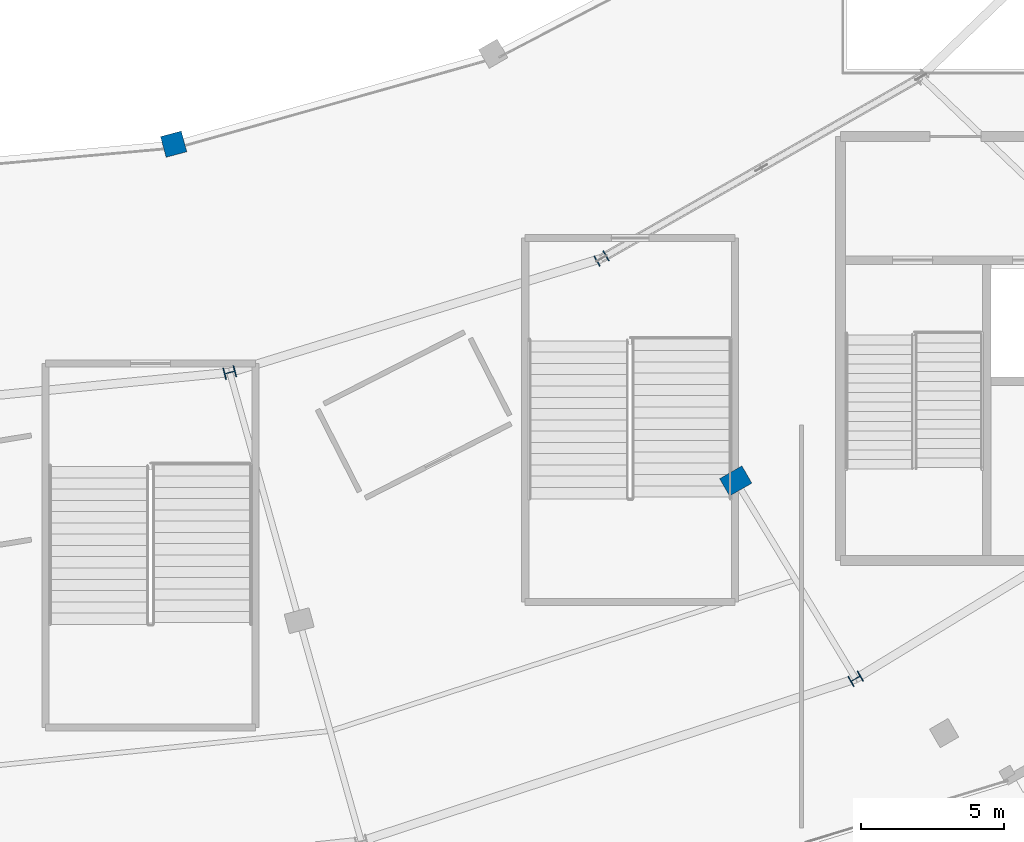
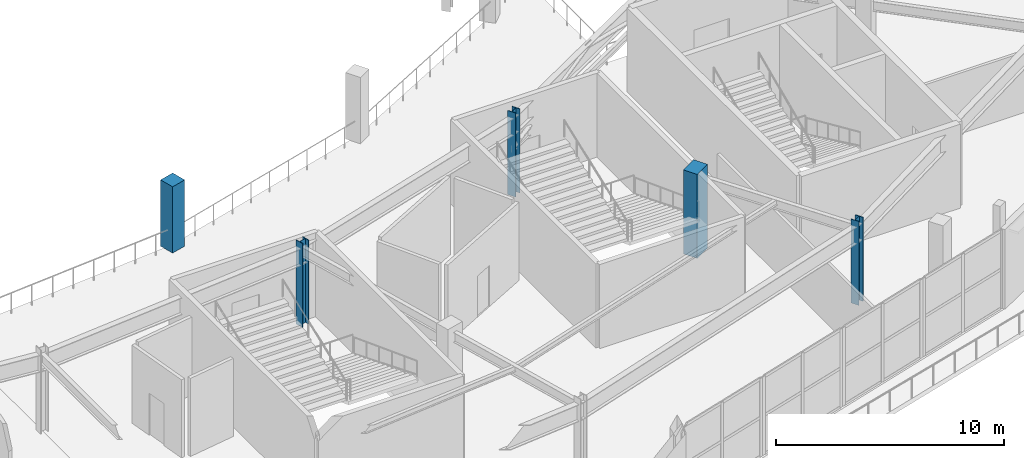
# One storey, part 5 of 123: 5 columns.
"""IFC4 building model written with IfcOpenShell, lengths in metres."""

from ifc_helpers import new_model, si_unit, direction, frame, origin, origin_2d, place, context, subcontext, project, spatial, rectangle, i_section, extrude, material, material_profile, profile_set, type_object, element, save


model = new_model("IFC4")

# Units and contexts
model_context = context("Model", 3, precision=1e-05, world=origin(), true_north=direction((0.0, 1.0)))
body_context = subcontext(model_context, "Body", "Model", "MODEL_VIEW")
ifc_project = project(units=[si_unit("LENGTHUNIT", "METRE"), si_unit("AREAUNIT", "SQUARE_METRE"), si_unit("VOLUMEUNIT", "CUBIC_METRE"), si_unit("PLANEANGLEUNIT", "RADIAN"), si_unit("MASSUNIT", "GRAM", prefix="KILO")], contexts=[model_context])

# Site, building, storey
site_placement = place(None, origin())
site = spatial("IfcSite", under=ifc_project, at=site_placement, CompositionType="ELEMENT")
building_placement = place(site_placement, origin())
building = spatial("IfcBuilding", under=site, at=building_placement, Name="Kalgoora Escarpment Arena", CompositionType="ELEMENT")
storey_placement = place(building_placement, frame((0.0, 0.0, 9.89990234375)))
storey = spatial("IfcBuildingStorey", under=building, at=storey_placement, Name="L02", CompositionType="ELEMENT", Elevation=9.89990234375)

# Columns
ifc_material_1 = material(Name="Structural steel Grade 350 (350 MPa)", Category="steel")
ifc_material_profile_1 = material_profile(ifc_material_1, i_section(OverallWidth=0.39990234375, OverallDepth=0.39990234375, WebThickness=0.01611328125, FlangeThickness=0.028076171875, at=origin_2d()))
ifc_profile_set_1 = profile_set([ifc_material_profile_1], Name="Structural steel Grade 350 (350 MPa)")
column_type_1 = type_object("IfcColumnType", Name="COL-COL-400WC212", PredefinedType="COLUMN", material=ifc_profile_set_1)
column_1_placement = place(storey_placement, frame((128.300048828125, 14.63671875, 0.0), z_axis=(0.0, 0.0, 1.0), x_axis=(0.5, -0.866025403784, 0.0)))
element("IfcColumn", 1, at=column_1_placement, inside=storey, type_object=column_type_1, Name="L02 structural column COL-RCONC2-R21", PredefinedType="COLUMN", context=body_context, shape_type="SweptSolid", body=[
    extrude(i_section(OverallWidth=0.39990234375, OverallDepth=0.39990234375, WebThickness=0.01611328125, FlangeThickness=0.028076171875, at=origin_2d()), origin(), (0.0, 0.0, 1.0), 4.5),
])
ifc_material_2 = material(Name="Structural steel Grade 350 (350 MPa)", Category="steel")
ifc_material_profile_2 = material_profile(ifc_material_2, i_section(OverallWidth=0.39990234375, OverallDepth=0.39990234375, WebThickness=0.01806640625, FlangeThickness=0.031982421875, at=origin_2d()))
ifc_profile_set_2 = profile_set([ifc_material_profile_2], Name="Structural steel Grade 350 (350 MPa)")
column_type_2 = type_object("IfcColumnType", Name="COL-COL-400WC270", PredefinedType="COLUMN", material=ifc_profile_set_2)
for number, where, z_axis, x_axis, name in (
    (2, (106.376220703125, 25.363037109375, 0.0), (0.0, 0.0, 1.0), (0.258819045103, -0.965925826289, 0.0), "L02 structural column COL-RMAIN-R20"),
    (3, (119.39990234375, 29.35888671875, 0.0), (0.0, 0.0, 1.0), (0.5, -0.866025403784, 0.0), "L02 structural column COL-RMAIN-R21"),
):
    element("IfcColumn", number, at=place(storey_placement, frame(where, z_axis=z_axis, x_axis=x_axis)), inside=storey, type_object=column_type_2, Name=name, PredefinedType="COLUMN", context=body_context, shape_type="SweptSolid", body=[
        extrude(i_section(OverallWidth=0.39990234375, OverallDepth=0.39990234375, WebThickness=0.01806640625, FlangeThickness=0.031982421875, at=origin_2d()), origin(), (0.0, 0.0, 1.0), 4.5),
    ])
ifc_material_3 = material(Name="Concrete N50 (fc' 50 MPa)", Category="concrete")
ifc_material_profile_3 = material_profile(ifc_material_3, rectangle(XDim=0.75, YDim=0.75, at=origin_2d()))
ifc_profile_set_3 = profile_set([ifc_material_profile_3], Name="Concrete N50 (fc' 50 MPa)")
column_type_3 = type_object("IfcColumnType", Name="COL-COL-RC750x750", PredefinedType="COLUMN", material=ifc_profile_set_3)
column_2_placement = place(storey_placement, frame((104.411865234375, 33.36083984375, 0.0), z_axis=(0.0, 0.0, 1.0), x_axis=(0.258819045103, -0.965925826289, 0.0)))
element("IfcColumn", 4, at=column_2_placement, inside=storey, type_object=column_type_3, Name="L02 structural column COL-RMID-R20", PredefinedType="COLUMN", context=body_context, shape_type="SweptSolid", body=[
    extrude(rectangle(XDim=0.75, YDim=0.75, at=origin_2d()), origin(), (0.0, 0.0, 1.0), 3.553466796875),
])
ifc_material_4 = material(Name="Concrete N50 (fc' 50 MPa)", Category="concrete")
ifc_material_profile_4 = material_profile(ifc_material_4, rectangle(XDim=0.699951171875, YDim=0.89990234375, at=origin_2d()))
ifc_profile_set_4 = profile_set([ifc_material_profile_4], Name="Concrete N50 (fc' 50 MPa)")
column_type_4 = type_object("IfcColumnType", Name="COL-COL-RC900x700", PredefinedType="COLUMN", material=ifc_profile_set_4)
column_3_placement = place(storey_placement, frame((124.10009765625, 21.564697265625, 0.0), z_axis=(0.0, 0.0, 1.0), x_axis=(0.5, -0.866025403784, 0.0)))
element("IfcColumn", 5, at=column_3_placement, inside=storey, type_object=column_type_4, Name="L02 structural column COL-RCONC1-R21", PredefinedType="COLUMN", context=body_context, shape_type="SweptSolid", body=[
    extrude(rectangle(XDim=0.699951171875, YDim=0.89990234375, at=origin_2d()), origin(), (0.0, 0.0, 1.0), 4.5),
])

save(model, "model.ifc")
